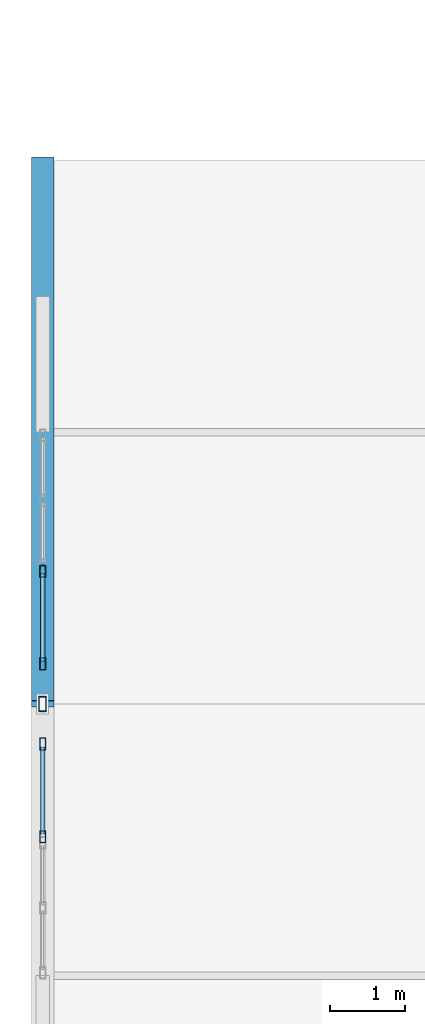
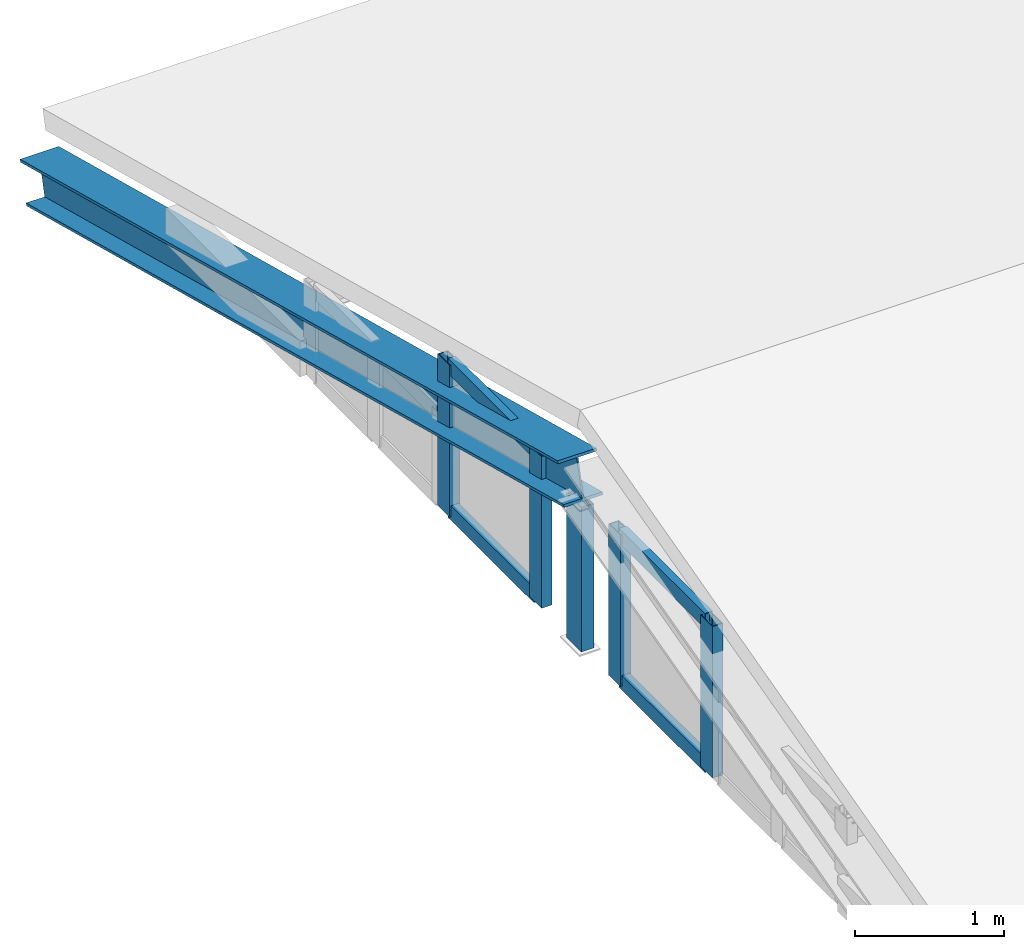
# One storey, part 17 of 105: 9 members, 1 beam, 2 elements without a shape of their own.
"""IFC4 building model written with IfcOpenShell, lengths in metres."""

from ifc_helpers import new_model, si_unit, direction, frame, origin, origin_2d, place, context, subcontext, project, spatial, hollow_rectangle, i_section, extrude, material, layer, layer_set, material_profile, profile_set, type_object, element, aggregate, save


model = new_model("IFC4")

# Units and contexts
model_context = context("Model", 3, precision=1e-05, world=origin(), true_north=direction((0.0, 1.0)))
body_context = subcontext(model_context, "Body", "Model", "MODEL_VIEW")
ifc_project = project(units=[si_unit("LENGTHUNIT", "METRE"), si_unit("AREAUNIT", "SQUARE_METRE"), si_unit("VOLUMEUNIT", "CUBIC_METRE"), si_unit("PLANEANGLEUNIT", "RADIAN"), si_unit("MASSUNIT", "GRAM", prefix="KILO"), si_unit("THERMODYNAMICTEMPERATUREUNIT", "KELVIN"), si_unit("POWERUNIT", "WATT")], contexts=[model_context])

# Site, building, storey
site_placement = place(None, origin())
site = spatial("IfcSite", under=ifc_project, at=site_placement, CompositionType="ELEMENT")
building_placement = place(site_placement, origin())
building = spatial("IfcBuilding", under=site, at=building_placement, Name="Kaldorven Railside Theatre", CompositionType="ELEMENT")
storey_placement = place(building_placement, frame((0.0, 0.0, 9.89990234375)))
storey = spatial("IfcBuildingStorey", under=building, at=storey_placement, Name="L02", CompositionType="ELEMENT", Elevation=9.89990234375)

# Beam
ifc_material_1 = material(Name="Steel S355", Category="steel")
ifc_material_profile_1 = material_profile(ifc_material_1, i_section(OverallWidth=0.300048828125, OverallDepth=0.340087890625, WebThickness=0.011962890625, FlangeThickness=0.021484375, at=origin_2d()), Name="HEB 340")
ifc_profile_set_1 = profile_set([ifc_material_profile_1], Name="Steel S355")
beam_type = type_object("IfcBeamType", Name="BM-HEB340", PredefinedType="SPANDREL", material=ifc_profile_set_1)
beam_placement = place(storey_placement, frame((8.0, 69.60009765625, 1.3466796875), z_axis=(0.0, 0.966895078071, -0.255174269866), x_axis=(-1.0, 0.0, 0.0)))
element("IfcBeam", 1, at=beam_placement, inside=storey, type_object=beam_type, Name="Black-Box Dual-Pitch Roof Gable Rafter RAF-162", PredefinedType="SPANDREL", context=body_context, shape_type="SweptSolid", body=[
    extrude(i_section(OverallWidth=0.300048828125, OverallDepth=0.340087890625, WebThickness=0.011962890625, FlangeThickness=0.021484375, at=origin_2d()), origin(), (0.0, 0.0, 1.0), 7.446533203125),
])

# Curtain wall, members
ifc_material_2 = material(Name="Low-E laminated solar-control glass", Category="glass")
ifc_layer = layer(ifc_material_2, 0.159912109375, Name="Low-E laminated solar-control glass")
ifc_layer_set = layer_set([ifc_layer], Name="Low-E laminated solar-control glass")
curtain_wall_type = type_object("IfcCurtainWallType", Name="CWT-67", PredefinedType="USERDEFINED", material=ifc_layer_set)
curtain_wall_1_placement = place(storey_placement, origin())
curtain_wall_1 = element("IfcCurtainWall", 2, at=curtain_wall_1_placement, inside=storey, type_object=curtain_wall_type, Name="Black-Box West Gable Clerestory CWG-141", ObjectType="FLUTED GLAZING", PredefinedType="USERDEFINED")
ifc_material_3 = material(Name="Anodised bronze aluminium", Category="aluminium")
ifc_material_profile_2 = material_profile(ifc_material_3, hollow_rectangle(XDim=0.080078125, YDim=0.159912109375, WallThickness=0.00634765625, at=origin_2d()), Name="RHS 160x80x6.3")
ifc_profile_set_2 = profile_set([ifc_material_profile_2], Name="Anodised bronze aluminium")
member_type_1 = type_object("IfcMemberType", Name="CWM-160", PredefinedType="MULLION", material=ifc_profile_set_2)
member_1_placement = place(storey_placement, frame((8.0, 67.840087890625, 0.02001953125), z_axis=(0.0, 0.0, 1.0), x_axis=(-1.0, 0.0, 0.0)))
member_1 = element("IfcMember", 3, at=member_1_placement, type_object=member_type_1, Name="CWG-141 mullion 1", PredefinedType="MULLION", context=body_context, shape_type="SweptSolid", body=[
    extrude(hollow_rectangle(XDim=0.080078125, YDim=0.159912109375, WallThickness=0.00634765625, at=origin_2d()), origin(), (0.0, 0.0, 1.0), 1.239990234375),
])
member_2_placement = place(storey_placement, frame((8.0, 69.070068359375, 0.02001953125), z_axis=(0.0, 0.0, 1.0), x_axis=(-1.0, 0.0, 0.0)))
member_2 = element("IfcMember", 4, at=member_2_placement, type_object=member_type_1, Name="CWG-141 mullion 2", PredefinedType="MULLION", context=body_context, shape_type="SweptSolid", body=[
    extrude(hollow_rectangle(XDim=0.080078125, YDim=0.159912109375, WallThickness=0.00634765625, at=origin_2d()), origin(), (0.0, 0.0, 1.0), 1.239990234375),
])

curtain_wall_2_placement = place(storey_placement, origin())
curtain_wall_2 = element("IfcCurtainWall", 5, at=curtain_wall_2_placement, inside=storey, type_object=curtain_wall_type, Name="Black-Box West Gable Clerestory CWG-142", ObjectType="FLUTED GLAZING", PredefinedType="USERDEFINED")
member_3_placement = place(storey_placement, frame((8.0, 70.1298828125, 0.02001953125), z_axis=(0.0, 0.0, 1.0), x_axis=(-1.0, 0.0, 0.0)))
member_3 = element("IfcMember", 6, at=member_3_placement, type_object=member_type_1, Name="CWG-142 mullion 1", PredefinedType="MULLION", context=body_context, shape_type="SweptSolid", body=[
    extrude(hollow_rectangle(XDim=0.080078125, YDim=0.159912109375, WallThickness=0.00634765625, at=origin_2d()), origin(), (0.0, 0.0, 1.0), 1.239990234375),
])
member_4_placement = place(storey_placement, frame((8.0, 71.360107421875, 0.02001953125), z_axis=(0.0, 0.0, 1.0), x_axis=(-1.0, 0.0, 0.0)))
member_4 = element("IfcMember", 7, at=member_4_placement, type_object=member_type_1, Name="CWG-142 mullion 2", PredefinedType="MULLION", context=body_context, shape_type="SweptSolid", body=[
    extrude(hollow_rectangle(XDim=0.080078125, YDim=0.159912109375, WallThickness=0.00634765625, at=origin_2d()), origin(), (0.0, 0.0, 1.0), 1.239990234375),
])

# Member
ifc_material_profile_3 = material_profile(ifc_material_3, hollow_rectangle(XDim=0.06005859375, YDim=0.1201171875, WallThickness=0.0048828125, at=origin_2d()), Name="RHS 120x60x5")
ifc_profile_set_3 = profile_set([ifc_material_profile_3], Name="Anodised bronze aluminium")
member_type_2 = type_object("IfcMemberType", Name="CWT-120", PredefinedType="USERDEFINED", material=ifc_profile_set_3)
member_5_placement = place(storey_placement, frame((8.0, 67.8798828125, 0.050048828125), z_axis=(0.0, 1.0, 0.0), x_axis=(-1.0, 0.0, 0.0)))
member_5 = element("IfcMember", 8, at=member_5_placement, type_object=member_type_2, Name="CWG-141 transom 1.1", ObjectType="TRANSOM", PredefinedType="USERDEFINED", context=body_context, shape_type="SweptSolid", body=[
    extrude(hollow_rectangle(XDim=0.06005859375, YDim=0.1201171875, WallThickness=0.0048828125, at=origin_2d()), origin(), (0.0, 0.0, 1.0), 1.150146484375),
])

member_6_placement = place(storey_placement, frame((8.0, 67.8798828125, 1.22998046875), z_axis=(0.0, 1.0, 0.0), x_axis=(-1.0, 0.0, 0.0)))
member_6 = element("IfcMember", 9, at=member_6_placement, type_object=member_type_2, Name="CWG-141 transom 1.2", ObjectType="TRANSOM", PredefinedType="USERDEFINED", context=body_context, shape_type="SweptSolid", body=[
    extrude(hollow_rectangle(XDim=0.06005859375, YDim=0.1201171875, WallThickness=0.0048828125, at=origin_2d()), origin(), (0.0, 0.0, 1.0), 1.150146484375),
])

aggregate(curtain_wall_1, [member_1, member_2, member_5, member_6])

member_7_placement = place(storey_placement, frame((8.0, 70.169921875, 0.050048828125), z_axis=(0.0, 1.0, 0.0), x_axis=(-1.0, 0.0, 0.0)))
member_7 = element("IfcMember", 10, at=member_7_placement, type_object=member_type_2, Name="CWG-142 transom 1.1", ObjectType="TRANSOM", PredefinedType="USERDEFINED", context=body_context, shape_type="SweptSolid", body=[
    extrude(hollow_rectangle(XDim=0.06005859375, YDim=0.1201171875, WallThickness=0.0048828125, at=origin_2d()), origin(), (0.0, 0.0, 1.0), 1.150146484375),
])

member_8_placement = place(storey_placement, frame((8.0, 70.169921875, 1.22998046875), z_axis=(0.0, 1.0, 0.0), x_axis=(-1.0, 0.0, 0.0)))
member_8 = element("IfcMember", 11, at=member_8_placement, type_object=member_type_2, Name="CWG-142 transom 1.2", ObjectType="TRANSOM", PredefinedType="USERDEFINED", context=body_context, shape_type="SweptSolid", body=[
    extrude(hollow_rectangle(XDim=0.06005859375, YDim=0.1201171875, WallThickness=0.0048828125, at=origin_2d()), origin(), (0.0, 0.0, 1.0), 1.150146484375),
])

aggregate(curtain_wall_2, [member_3, member_4, member_7, member_8])

ifc_material_profile_4 = material_profile(ifc_material_1, hollow_rectangle(XDim=0.10009765625, YDim=0.199951171875, WallThickness=0.008056640625, at=origin_2d()), Name="RHS 200x100x8")
ifc_profile_set_4 = profile_set([ifc_material_profile_4], Name="Steel S355")
member_type_3 = type_object("IfcMemberType", Name="MEM-RHS200", PredefinedType="STRUT", material=ifc_profile_set_4)
member_9_placement = place(storey_placement, frame((8.0, 69.60009765625, 0.0), z_axis=(0.0, 0.0, 1.0), x_axis=(1.0, 0.0, 0.0)))
element("IfcMember", 12, at=member_9_placement, inside=storey, type_object=member_type_3, Name="Black-Box Dual-Pitch Roof Gable Ridge Post", PredefinedType="STRUT", context=body_context, shape_type="SweptSolid", body=[
    extrude(hollow_rectangle(XDim=0.10009765625, YDim=0.199951171875, WallThickness=0.008056640625, at=origin_2d()), origin(), (0.0, 0.0, 1.0), 1.176513671875),
])

save(model, "model.ifc")
